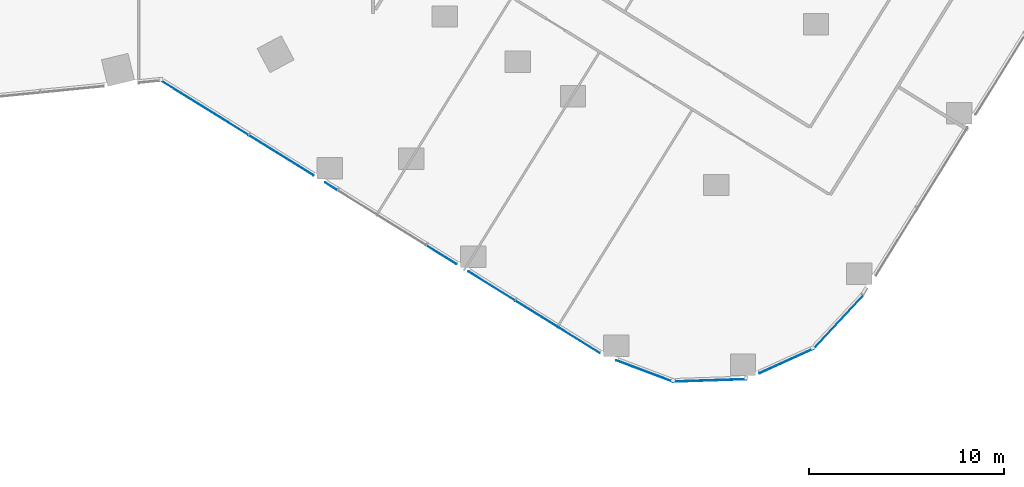
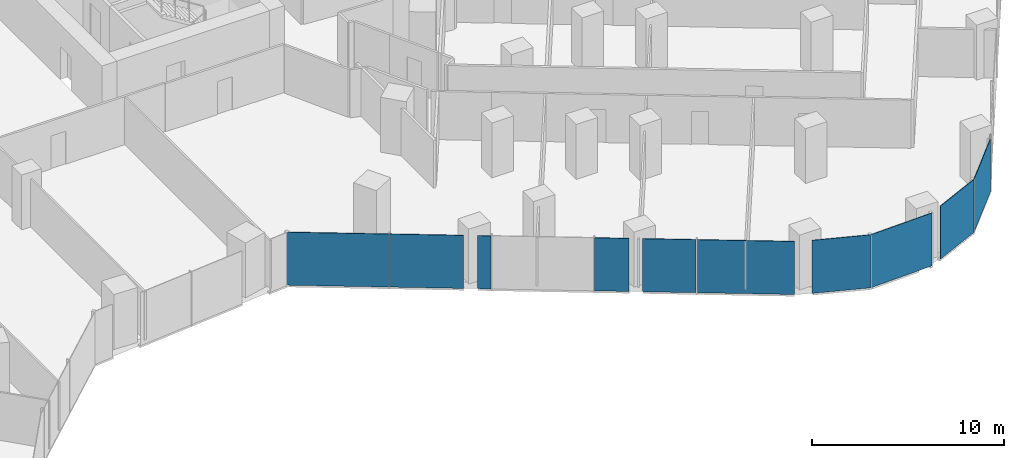
# One storey, part 21 of 34: 10 plates, 5 elements without a shape of their own.
"""IFC4 building model written with IfcOpenShell, lengths in metres."""

from ifc_helpers import new_model, si_unit, direction, frame, origin, origin_2d, place, context, subcontext, project, spatial, rectangle, extrude, material, layer, layer_set, type_object, element, aggregate, save


model = new_model("IFC4")

# Units and contexts
model_context = context("Model", 3, precision=1e-05, world=origin(), true_north=direction((0.0, 1.0)))
body_context = subcontext(model_context, "Body", "Model", "MODEL_VIEW")
ifc_project = project(units=[si_unit("LENGTHUNIT", "METRE"), si_unit("AREAUNIT", "SQUARE_METRE"), si_unit("VOLUMEUNIT", "CUBIC_METRE"), si_unit("PLANEANGLEUNIT", "RADIAN"), si_unit("MASSUNIT", "GRAM", prefix="KILO")], contexts=[model_context])

# Site, building, storey
site_placement = place(None, origin())
site = spatial("IfcSite", under=ifc_project, at=site_placement, CompositionType="ELEMENT")
building_placement = place(site_placement, origin())
building = spatial("IfcBuilding", under=site, at=building_placement, Name="Orlundy Tower", CompositionType="ELEMENT")
storey_placement = place(building_placement, frame((0.0, 0.0, 40.800048828125)))
storey = spatial("IfcBuildingStorey", under=building, at=storey_placement, Name="L08", CompositionType="ELEMENT", Elevation=40.800048828125)

# Curtain wall, plate
ifc_material_1 = material(Name="Aluminium bronze anodised", Category="aluminium")
curtain_wall_type = type_object("IfcCurtainWallType", Name="CW1 wall", PredefinedType="NOTDEFINED", material=ifc_material_1)
curtain_wall_1_placement = place(storey_placement, origin())
curtain_wall_1 = element("IfcCurtainWall", 1, at=curtain_wall_1_placement, inside=storey, type_object=curtain_wall_type, Name="CW1 run 012", PredefinedType="NOTDEFINED")
ifc_material_2 = material(Name="Tinted glass", Category="glass")
ifc_layer = layer(ifc_material_2, 0.031982421875)
ifc_layer_set = layer_set([ifc_layer], Name="CW1 glass panel 32")
plate_type = type_object("IfcPlateType", Name="CW1 glass panel 32", PredefinedType="CURTAIN_PANEL", material=ifc_layer_set)
plate_1_placement = place(storey_placement, frame((43.8515625, -41.78466796875, -0.300048828125), z_axis=(0.0, 0.0, 1.0), x_axis=(-0.68310607378, -0.730319171298, 0.0)))
plate_1 = element("IfcPlate", 2, at=plate_1_placement, type_object=plate_type, Name="CW1 panel", PredefinedType="CURTAIN_PANEL", context=body_context, shape_type="SweptSolid", body=[
    extrude(rectangle(XDim=3.730224609375, YDim=0.031982421875, at=origin_2d()), origin(), (0.0, 0.0, 1.0), 3.3798828125),
])
aggregate(curtain_wall_1, [plate_1])

curtain_wall_2_placement = place(storey_placement, origin())
curtain_wall_2 = element("IfcCurtainWall", 3, at=curtain_wall_2_placement, inside=storey, type_object=curtain_wall_type, Name="CW1 run 013", PredefinedType="NOTDEFINED")
plate_2_placement = place(storey_placement, frame((41.19775390625, -43.773193359375, -0.300048828125), z_axis=(0.0, 0.0, 1.0), x_axis=(-0.91057887201, -0.413335357608, 0.0)))
plate_2 = element("IfcPlate", 4, at=plate_2_placement, type_object=plate_type, Name="CW1 panel", PredefinedType="CURTAIN_PANEL", context=body_context, shape_type="SweptSolid", body=[
    extrude(rectangle(XDim=3.030517578125, YDim=0.031982421875, at=origin_2d()), origin(), (0.0, 0.0, 1.0), 3.3798828125),
])
aggregate(curtain_wall_2, [plate_2])

curtain_wall_3_placement = place(storey_placement, origin())
curtain_wall_3 = element("IfcCurtainWall", 5, at=curtain_wall_3_placement, inside=storey, type_object=curtain_wall_type, Name="CW1 run 014", PredefinedType="NOTDEFINED")
plate_3_placement = place(storey_placement, frame((37.258056640625, -44.768798828125, -0.300048828125), z_axis=(0.0, 0.0, 1.0), x_axis=(-0.99944040698, -0.033449557474, 0.0)))
plate_3 = element("IfcPlate", 6, at=plate_3_placement, type_object=plate_type, Name="CW1 panel", PredefinedType="CURTAIN_PANEL", context=body_context, shape_type="SweptSolid", body=[
    extrude(rectangle(XDim=3.772216796875, YDim=0.031982421875, at=origin_2d()), origin(), (0.0, 0.0, 1.0), 3.3798828125),
])
aggregate(curtain_wall_3, [plate_3])

curtain_wall_4_placement = place(storey_placement, origin())
curtain_wall_4 = element("IfcCurtainWall", 7, at=curtain_wall_4_placement, inside=storey, type_object=curtain_wall_type, Name="CW1 run 015", PredefinedType="NOTDEFINED")
plate_4_placement = place(storey_placement, frame((33.92138671875, -44.287109375, -0.300048828125), z_axis=(0.0, 0.0, 1.0), x_axis=(-0.936173864009, 0.351537332791, 0.0)))
plate_4 = element("IfcPlate", 8, at=plate_4_placement, type_object=plate_type, Name="CW1 panel", PredefinedType="CURTAIN_PANEL", context=body_context, shape_type="SweptSolid", body=[
    extrude(rectangle(XDim=3.1005859375, YDim=0.031982421875, at=origin_2d()), origin(), (0.0, 0.0, 1.0), 3.3798828125),
])
aggregate(curtain_wall_4, [plate_4])

# Curtain wall, plates
curtain_wall_5_placement = place(storey_placement, origin())
curtain_wall_5 = element("IfcCurtainWall", 9, at=curtain_wall_5_placement, inside=storey, type_object=curtain_wall_type, Name="CW1 run 016", PredefinedType="NOTDEFINED")
plate_5_placement = place(storey_placement, frame((29.469482421875, -42.029296875, -0.300048828125), z_axis=(0.0, 0.0, 1.0), x_axis=(-0.849586512969, 0.52744929328, 0.0)))
plate_5 = element("IfcPlate", 10, at=plate_5_placement, type_object=plate_type, Name="CW1 panel", PredefinedType="CURTAIN_PANEL", context=body_context, shape_type="SweptSolid", body=[
    extrude(rectangle(XDim=5.074462890625, YDim=0.031982421875, at=origin_2d()), origin(), (0.0, 0.0, 1.0), 3.3798828125),
])
plate_6_placement = place(storey_placement, frame((26.084228515625, -39.927978515625, -0.300048828125), z_axis=(0.0, 0.0, 1.0), x_axis=(-0.849586512969, 0.52744929328, 0.0)))
plate_6 = element("IfcPlate", 11, at=plate_6_placement, type_object=plate_type, Name="CW1 panel", PredefinedType="CURTAIN_PANEL", context=body_context, shape_type="SweptSolid", body=[
    extrude(rectangle(XDim=2.794189453125, YDim=0.031982421875, at=origin_2d()), origin(), (0.0, 0.0, 1.0), 3.3798828125),
])
plate_7_placement = place(storey_placement, frame((23.52587890625, -38.339599609375, -0.300048828125), z_axis=(0.0, 0.0, 1.0), x_axis=(-0.849586512969, 0.52744929328, 0.0)))
plate_7 = element("IfcPlate", 12, at=plate_7_placement, type_object=plate_type, Name="CW1 panel", PredefinedType="CURTAIN_PANEL", context=body_context, shape_type="SweptSolid", body=[
    extrude(rectangle(XDim=1.79638671875, YDim=0.031982421875, at=origin_2d()), origin(), (0.0, 0.0, 1.0), 3.3798828125),
])
plate_8_placement = place(storey_placement, frame((17.866455078125, -34.825927734375, -0.300048828125), z_axis=(0.0, 0.0, 1.0), x_axis=(-0.849586512969, 0.52744929328, 0.0)))
plate_8 = element("IfcPlate", 13, at=plate_8_placement, type_object=plate_type, Name="CW1 panel", PredefinedType="CURTAIN_PANEL", context=body_context, shape_type="SweptSolid", body=[
    extrude(rectangle(XDim=0.712646484375, YDim=0.031982421875, at=origin_2d()), origin(), (0.0, 0.0, 1.0), 3.3798828125),
])
plate_9_placement = place(storey_placement, frame((15.307373046875, -33.2373046875, -0.300048828125), z_axis=(0.0, 0.0, 1.0), x_axis=(-0.849586512969, 0.52744929328, 0.0)))
plate_9 = element("IfcPlate", 14, at=plate_9_placement, type_object=plate_type, Name="CW1 panel", PredefinedType="CURTAIN_PANEL", context=body_context, shape_type="SweptSolid", body=[
    extrude(rectangle(XDim=3.876220703125, YDim=0.031982421875, at=origin_2d()), origin(), (0.0, 0.0, 1.0), 3.3798828125),
])
plate_10_placement = place(storey_placement, frame((11.376953125, -30.797119140625, -0.300048828125), z_axis=(0.0, 0.0, 1.0), x_axis=(-0.849586512969, 0.52744929328, 0.0)))
plate_10 = element("IfcPlate", 15, at=plate_10_placement, type_object=plate_type, Name="CW1 panel", PredefinedType="CURTAIN_PANEL", context=body_context, shape_type="SweptSolid", body=[
    extrude(rectangle(XDim=5.276123046875, YDim=0.031982421875, at=origin_2d()), origin(), (0.0, 0.0, 1.0), 3.3798828125),
])
aggregate(curtain_wall_5, [plate_5, plate_6, plate_7, plate_8, plate_9, plate_10])

save(model, "model.ifc")
